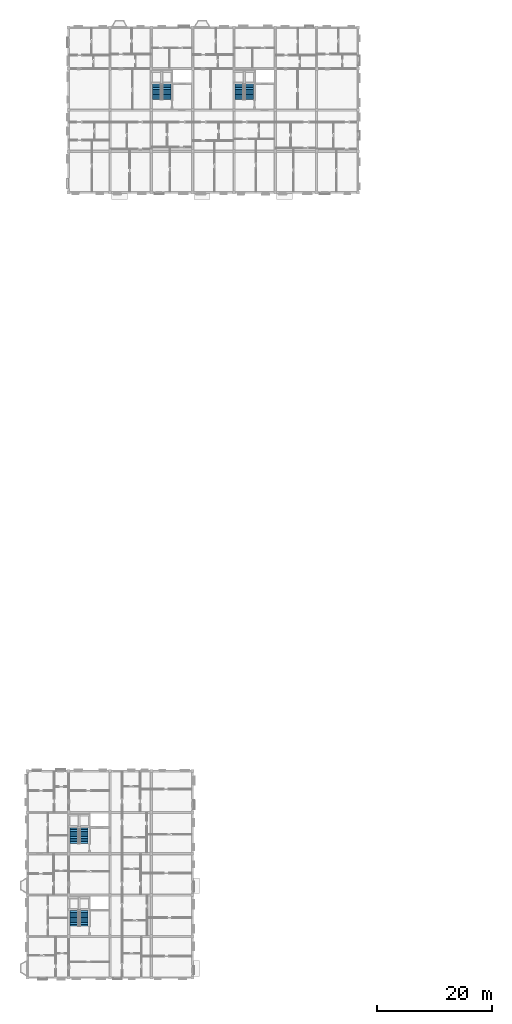
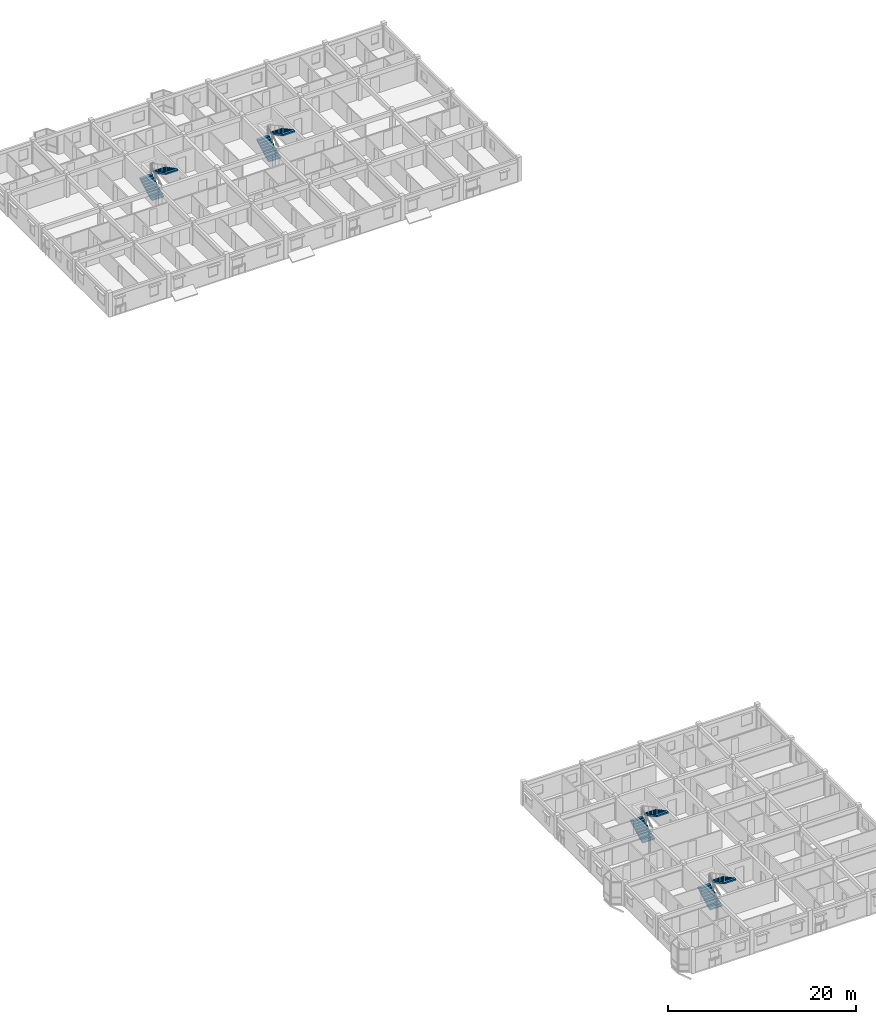
# One storey, part 32 of 38: 8 stair flights, 4 elements without a shape of their own.
"""IFC4 building model written with IfcOpenShell, lengths in metres."""

from ifc_helpers import new_model, si_unit, direction, frame, origin, place, context, subcontext, project, spatial, polyline, outline, extrude, material, type_object, element, aggregate, save


model = new_model("IFC4")

# Units and contexts
model_context = context("Model", 3, precision=1e-05, world=origin(), true_north=direction((0.0, 1.0)))
body_context = subcontext(model_context, "Body", "Model", "MODEL_VIEW")
ifc_project = project(units=[si_unit("LENGTHUNIT", "METRE"), si_unit("AREAUNIT", "SQUARE_METRE"), si_unit("VOLUMEUNIT", "CUBIC_METRE"), si_unit("PLANEANGLEUNIT", "RADIAN"), si_unit("MASSUNIT", "GRAM", prefix="KILO"), si_unit("THERMODYNAMICTEMPERATUREUNIT", "KELVIN"), si_unit("POWERUNIT", "WATT")], contexts=[model_context])

# Site, building, storey
site_placement = place(None, origin())
site = spatial("IfcSite", under=ifc_project, at=site_placement, CompositionType="ELEMENT")
building_placement = place(site_placement, origin())
building = spatial("IfcBuilding", under=site, at=building_placement, Name="Tavuni Mirador Residences", CompositionType="ELEMENT")
storey_placement = place(building_placement, frame((0.0, 0.0, 32.85009765625)))
storey = spatial("IfcBuildingStorey", under=building, at=storey_placement, Name="L10", CompositionType="ELEMENT", Elevation=32.85009765625)

# Stair, stair flights
ifc_material = material(Name="Precast concrete C40/50", Category="concrete")
stair_type = type_object("IfcStairType", Name="STT-TYP", PredefinedType="HALF_TURN_STAIR", material=ifc_material)
stair_1_placement = place(storey_placement, origin())
stair_1 = element("IfcStair", 1, at=stair_1_placement, inside=storey, type_object=stair_type, Name="Protected exit stair ST1 (L10)", PredefinedType="HALF_TURN_STAIR")
stair_flight_type = type_object("IfcStairFlightType", Name="SFT-1500", PredefinedType="STRAIGHT", material=ifc_material)
stair_flight_1_placement = place(storey_placement, frame((11.75, 16.199951171875, 0.0), z_axis=(0.0, 0.0, 1.0), x_axis=(0.0, 1.0, 0.0)))
stair_flight_1 = element("IfcStairFlight", 2, at=stair_flight_1_placement, type_object=stair_flight_type, Name="ST1 flight 1", NumberOfRisers=10, NumberOfTreads=9, PredefinedType="STRAIGHT", RiserHeight=0.1575, TreadLength=0.3, context=body_context, shape_type="SweptSolid", body=[
    extrude(outline(polyline([(0.0, 0.0), (0.0, 0.157470703125), (0.300048828125, 0.157470703125), (0.300048828125, 0.31494140625), (0.60009765625, 0.31494140625), (0.60009765625, 0.472412109375), (0.89990234375, 0.472412109375), (0.89990234375, 0.6298828125), (1.199951171875, 0.6298828125), (1.199951171875, 0.78759765625), (1.5, 0.78759765625), (1.5, 0.945068359375), (1.800048828125, 0.945068359375), (1.800048828125, 1.1025390625), (2.10009765625, 1.1025390625), (2.10009765625, 1.260009765625), (2.39990234375, 1.260009765625), (2.39990234375, 1.41748046875), (2.699951171875, 1.41748046875), (2.699951171875, 1.574951171875), (2.699951171875, 1.23681640625), (0.343994140625, 0.0), (0.0, 0.0)])), frame((0.0, 0.75, 0.0), z_axis=(0.0, -1.0, 0.0), x_axis=(1.0, 0.0, 0.0)), (0.0, 0.0, 1.0), 1.5),
])
stair_flight_2_placement = place(storey_placement, frame((13.449951171875, 18.89990234375, 1.574951171875), z_axis=(0.0, 0.0, 1.0), x_axis=(0.0, -1.0, 0.0)))
stair_flight_2 = element("IfcStairFlight", 3, at=stair_flight_2_placement, type_object=stair_flight_type, Name="ST1 flight 2", NumberOfRisers=10, NumberOfTreads=9, PredefinedType="STRAIGHT", RiserHeight=0.1575, TreadLength=0.3, context=body_context, shape_type="SweptSolid", body=[
    extrude(outline(polyline([(0.0, 0.0), (0.0, 0.157470703125), (0.300048828125, 0.157470703125), (0.300048828125, 0.31494140625), (0.60009765625, 0.31494140625), (0.60009765625, 0.472412109375), (0.89990234375, 0.472412109375), (0.89990234375, 0.6298828125), (1.199951171875, 0.6298828125), (1.199951171875, 0.78759765625), (1.5, 0.78759765625), (1.5, 0.945068359375), (1.800048828125, 0.945068359375), (1.800048828125, 1.1025390625), (2.10009765625, 1.1025390625), (2.10009765625, 1.260009765625), (2.39990234375, 1.260009765625), (2.39990234375, 1.41748046875), (2.699951171875, 1.41748046875), (2.699951171875, 1.574951171875), (2.699951171875, 1.23681640625), (0.343994140625, 0.0), (0.0, 0.0)])), frame((0.0, 0.75, 0.0), z_axis=(0.0, -1.0, 0.0), x_axis=(1.0, 0.0, 0.0)), (0.0, 0.0, 1.0), 1.5),
])
aggregate(stair_1, [stair_flight_1, stair_flight_2])

stair_2_placement = place(storey_placement, origin())
stair_2 = element("IfcStair", 4, at=stair_2_placement, inside=storey, type_object=stair_type, Name="Protected exit stair ST2 (L10)", PredefinedType="HALF_TURN_STAIR")
stair_flight_3_placement = place(storey_placement, frame((11.75, 30.60009765625, 0.0), z_axis=(0.0, 0.0, 1.0), x_axis=(0.0, 1.0, 0.0)))
stair_flight_3 = element("IfcStairFlight", 5, at=stair_flight_3_placement, type_object=stair_flight_type, Name="ST2 flight 1", NumberOfRisers=10, NumberOfTreads=9, PredefinedType="STRAIGHT", RiserHeight=0.1575, TreadLength=0.3, context=body_context, shape_type="SweptSolid", body=[
    extrude(outline(polyline([(0.0, 0.0), (0.0, 0.157470703125), (0.300048828125, 0.157470703125), (0.300048828125, 0.31494140625), (0.60009765625, 0.31494140625), (0.60009765625, 0.472412109375), (0.89990234375, 0.472412109375), (0.89990234375, 0.6298828125), (1.199951171875, 0.6298828125), (1.199951171875, 0.78759765625), (1.5, 0.78759765625), (1.5, 0.945068359375), (1.800048828125, 0.945068359375), (1.800048828125, 1.1025390625), (2.10009765625, 1.1025390625), (2.10009765625, 1.260009765625), (2.39990234375, 1.260009765625), (2.39990234375, 1.41748046875), (2.699951171875, 1.41748046875), (2.699951171875, 1.574951171875), (2.699951171875, 1.23681640625), (0.343994140625, 0.0), (0.0, 0.0)])), frame((0.0, 0.75, 0.0), z_axis=(0.0, -1.0, 0.0), x_axis=(1.0, 0.0, 0.0)), (0.0, 0.0, 1.0), 1.5),
])
stair_flight_4_placement = place(storey_placement, frame((13.449951171875, 33.300048828125, 1.574951171875), z_axis=(0.0, 0.0, 1.0), x_axis=(0.0, -1.0, 0.0)))
stair_flight_4 = element("IfcStairFlight", 6, at=stair_flight_4_placement, type_object=stair_flight_type, Name="ST2 flight 2", NumberOfRisers=10, NumberOfTreads=9, PredefinedType="STRAIGHT", RiserHeight=0.1575, TreadLength=0.3, context=body_context, shape_type="SweptSolid", body=[
    extrude(outline(polyline([(0.0, 0.0), (0.0, 0.157470703125), (0.300048828125, 0.157470703125), (0.300048828125, 0.31494140625), (0.60009765625, 0.31494140625), (0.60009765625, 0.472412109375), (0.89990234375, 0.472412109375), (0.89990234375, 0.6298828125), (1.199951171875, 0.6298828125), (1.199951171875, 0.78759765625), (1.5, 0.78759765625), (1.5, 0.945068359375), (1.800048828125, 0.945068359375), (1.800048828125, 1.1025390625), (2.10009765625, 1.1025390625), (2.10009765625, 1.260009765625), (2.39990234375, 1.260009765625), (2.39990234375, 1.41748046875), (2.699951171875, 1.41748046875), (2.699951171875, 1.574951171875), (2.699951171875, 1.23681640625), (0.343994140625, 0.0), (0.0, 0.0)])), frame((0.0, 0.75, 0.0), z_axis=(0.0, -1.0, 0.0), x_axis=(1.0, 0.0, 0.0)), (0.0, 0.0, 1.0), 1.5),
])
aggregate(stair_2, [stair_flight_3, stair_flight_4])

stair_3_placement = place(storey_placement, origin())
stair_3 = element("IfcStair", 7, at=stair_3_placement, inside=storey, type_object=stair_type, Name="Protected exit stair ST5 (L10)", PredefinedType="HALF_TURN_STAIR")
stair_flight_5_placement = place(storey_placement, frame((26.14990234375, 160.199951171875, 0.0), z_axis=(0.0, 0.0, 1.0), x_axis=(0.0, 1.0, 0.0)))
stair_flight_5 = element("IfcStairFlight", 8, at=stair_flight_5_placement, type_object=stair_flight_type, Name="ST5 flight 1", NumberOfRisers=10, NumberOfTreads=9, PredefinedType="STRAIGHT", RiserHeight=0.1575, TreadLength=0.3, context=body_context, shape_type="SweptSolid", body=[
    extrude(outline(polyline([(0.0, 0.0), (0.0, 0.157470703125), (0.300048828125, 0.157470703125), (0.300048828125, 0.31494140625), (0.60009765625, 0.31494140625), (0.60009765625, 0.472412109375), (0.89990234375, 0.472412109375), (0.89990234375, 0.6298828125), (1.199951171875, 0.6298828125), (1.199951171875, 0.78759765625), (1.5, 0.78759765625), (1.5, 0.945068359375), (1.800048828125, 0.945068359375), (1.800048828125, 1.1025390625), (2.10009765625, 1.1025390625), (2.10009765625, 1.260009765625), (2.39990234375, 1.260009765625), (2.39990234375, 1.41748046875), (2.699951171875, 1.41748046875), (2.699951171875, 1.574951171875), (2.699951171875, 1.23681640625), (0.343994140625, 0.0), (0.0, 0.0)])), frame((0.0, 0.75, 0.0), z_axis=(0.0, -1.0, 0.0), x_axis=(1.0, 0.0, 0.0)), (0.0, 0.0, 1.0), 1.5),
])
stair_flight_6_placement = place(storey_placement, frame((27.85009765625, 162.89990234375, 1.574951171875), z_axis=(0.0, 0.0, 1.0), x_axis=(0.0, -1.0, 0.0)))
stair_flight_6 = element("IfcStairFlight", 9, at=stair_flight_6_placement, type_object=stair_flight_type, Name="ST5 flight 2", NumberOfRisers=10, NumberOfTreads=9, PredefinedType="STRAIGHT", RiserHeight=0.1575, TreadLength=0.3, context=body_context, shape_type="SweptSolid", body=[
    extrude(outline(polyline([(0.0, 0.0), (0.0, 0.157470703125), (0.300048828125, 0.157470703125), (0.300048828125, 0.31494140625), (0.60009765625, 0.31494140625), (0.60009765625, 0.472412109375), (0.89990234375, 0.472412109375), (0.89990234375, 0.6298828125), (1.199951171875, 0.6298828125), (1.199951171875, 0.78759765625), (1.5, 0.78759765625), (1.5, 0.945068359375), (1.800048828125, 0.945068359375), (1.800048828125, 1.1025390625), (2.10009765625, 1.1025390625), (2.10009765625, 1.260009765625), (2.39990234375, 1.260009765625), (2.39990234375, 1.41748046875), (2.699951171875, 1.41748046875), (2.699951171875, 1.574951171875), (2.699951171875, 1.23681640625), (0.343994140625, 0.0), (0.0, 0.0)])), frame((0.0, 0.75, 0.0), z_axis=(0.0, -1.0, 0.0), x_axis=(1.0, 0.0, 0.0)), (0.0, 0.0, 1.0), 1.5),
])
aggregate(stair_3, [stair_flight_5, stair_flight_6])

stair_4_placement = place(storey_placement, origin())
stair_4 = element("IfcStair", 10, at=stair_4_placement, inside=storey, type_object=stair_type, Name="Protected exit stair ST6 (L10)", PredefinedType="HALF_TURN_STAIR")
stair_flight_7_placement = place(storey_placement, frame((40.550048828125, 160.199951171875, 0.0), z_axis=(0.0, 0.0, 1.0), x_axis=(0.0, 1.0, 0.0)))
stair_flight_7 = element("IfcStairFlight", 11, at=stair_flight_7_placement, type_object=stair_flight_type, Name="ST6 flight 1", NumberOfRisers=10, NumberOfTreads=9, PredefinedType="STRAIGHT", RiserHeight=0.1575, TreadLength=0.3, context=body_context, shape_type="SweptSolid", body=[
    extrude(outline(polyline([(0.0, 0.0), (0.0, 0.157470703125), (0.300048828125, 0.157470703125), (0.300048828125, 0.31494140625), (0.60009765625, 0.31494140625), (0.60009765625, 0.472412109375), (0.89990234375, 0.472412109375), (0.89990234375, 0.6298828125), (1.199951171875, 0.6298828125), (1.199951171875, 0.78759765625), (1.5, 0.78759765625), (1.5, 0.945068359375), (1.800048828125, 0.945068359375), (1.800048828125, 1.1025390625), (2.10009765625, 1.1025390625), (2.10009765625, 1.260009765625), (2.39990234375, 1.260009765625), (2.39990234375, 1.41748046875), (2.699951171875, 1.41748046875), (2.699951171875, 1.574951171875), (2.699951171875, 1.23681640625), (0.343994140625, 0.0), (0.0, 0.0)])), frame((0.0, 0.75, 0.0), z_axis=(0.0, -1.0, 0.0), x_axis=(1.0, 0.0, 0.0)), (0.0, 0.0, 1.0), 1.5),
])
stair_flight_8_placement = place(storey_placement, frame((42.25, 162.89990234375, 1.574951171875), z_axis=(0.0, 0.0, 1.0), x_axis=(0.0, -1.0, 0.0)))
stair_flight_8 = element("IfcStairFlight", 12, at=stair_flight_8_placement, type_object=stair_flight_type, Name="ST6 flight 2", NumberOfRisers=10, NumberOfTreads=9, PredefinedType="STRAIGHT", RiserHeight=0.1575, TreadLength=0.3, context=body_context, shape_type="SweptSolid", body=[
    extrude(outline(polyline([(0.0, 0.0), (0.0, 0.157470703125), (0.300048828125, 0.157470703125), (0.300048828125, 0.31494140625), (0.60009765625, 0.31494140625), (0.60009765625, 0.472412109375), (0.89990234375, 0.472412109375), (0.89990234375, 0.6298828125), (1.199951171875, 0.6298828125), (1.199951171875, 0.78759765625), (1.5, 0.78759765625), (1.5, 0.945068359375), (1.800048828125, 0.945068359375), (1.800048828125, 1.1025390625), (2.10009765625, 1.1025390625), (2.10009765625, 1.260009765625), (2.39990234375, 1.260009765625), (2.39990234375, 1.41748046875), (2.699951171875, 1.41748046875), (2.699951171875, 1.574951171875), (2.699951171875, 1.23681640625), (0.343994140625, 0.0), (0.0, 0.0)])), frame((0.0, 0.75, 0.0), z_axis=(0.0, -1.0, 0.0), x_axis=(1.0, 0.0, 0.0)), (0.0, 0.0, 1.0), 1.5),
])
aggregate(stair_4, [stair_flight_7, stair_flight_8])

save(model, "model.ifc")
